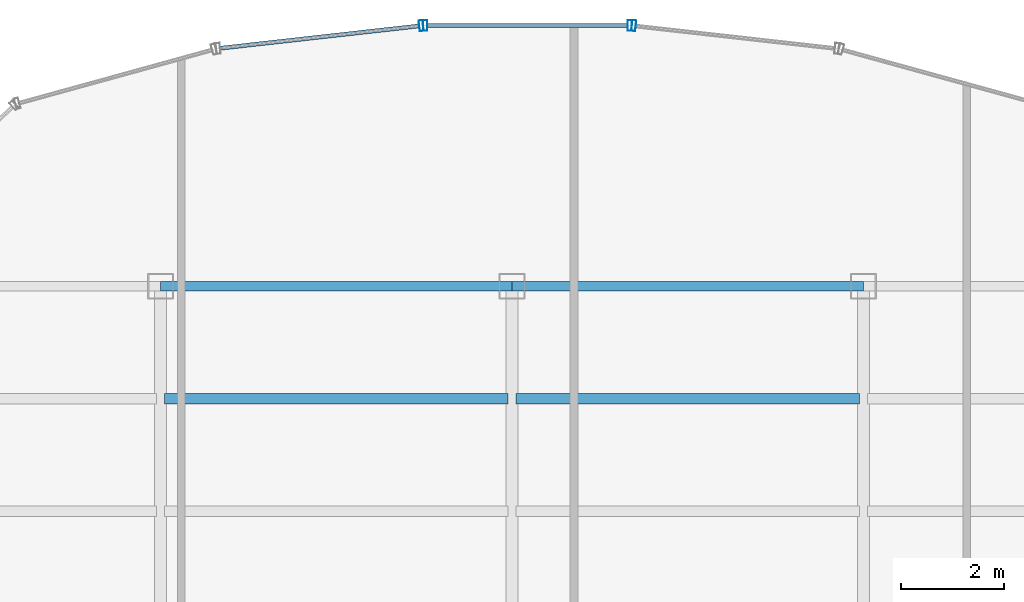
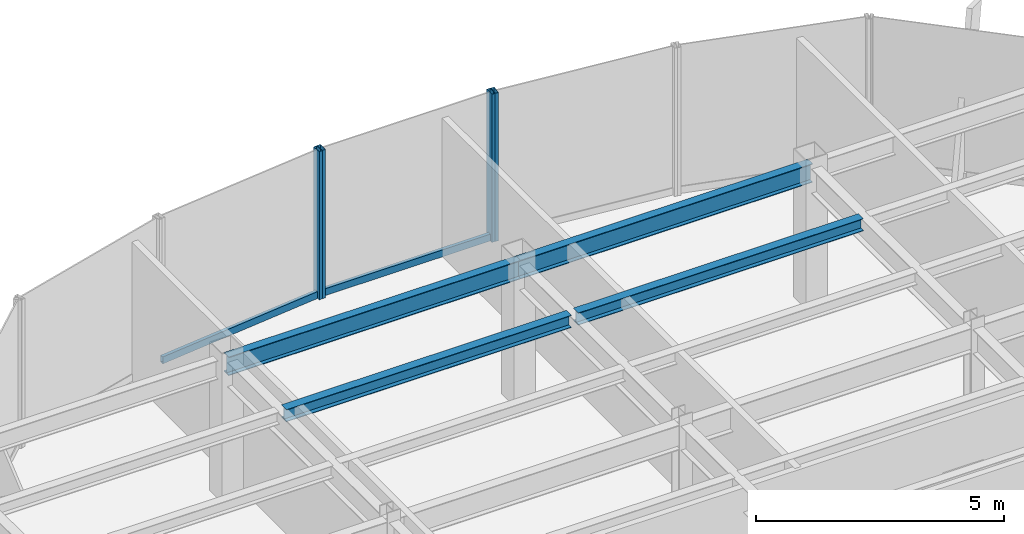
# One storey, part 13 of 22: 6 members, 4 beams, 3 elements without a shape of their own.
"""IFC4 building model written with IfcOpenShell, lengths in metres."""

from ifc_helpers import new_model, si_unit, derived_unit, direction, frame, origin, origin_2d, place, context, subcontext, project, spatial, hollow_rectangle, i_section, extrude, source, transform, mapped, material, material_profile, profile_set, type_object, element, aggregate, save


model = new_model("IFC4")

# Units and contexts
model_context = context("Model", 3, precision=1e-05, world=origin(), true_north=direction((0.0, 1.0)))
body_context = subcontext(model_context, "Body", "Model", "MODEL_VIEW")
ifc_project = project(units=[si_unit("LENGTHUNIT", "METRE"), si_unit("AREAUNIT", "SQUARE_METRE"), si_unit("VOLUMEUNIT", "CUBIC_METRE"), si_unit("PLANEANGLEUNIT", "RADIAN"), si_unit("MASSUNIT", "GRAM", prefix="KILO"), derived_unit("THERMALTRANSMITTANCEUNIT", [(si_unit("POWERUNIT", "WATT"), 1), (si_unit("LENGTHUNIT", "METRE"), -2), (si_unit("THERMODYNAMICTEMPERATUREUNIT", "KELVIN"), -1)])], contexts=[model_context])

# Site, building, storey
site_placement = place(None, origin())
site = spatial("IfcSite", under=ifc_project, at=site_placement, CompositionType="ELEMENT")
building_placement = place(site_placement, origin())
building = spatial("IfcBuilding", under=site, at=building_placement, Name="Skarnbrae Concourse Arena and Tower", CompositionType="ELEMENT")
storey_placement = place(building_placement, frame((0.0, 0.0, 251.5)))
storey = spatial("IfcBuildingStorey", under=building, at=storey_placement, Name="L65", CompositionType="ELEMENT", Elevation=251.5)

# Beams
ifc_material_1 = material(Name="Steel CSA G40.21 350W", Category="steel")
ifc_material_profile_1 = material_profile(ifc_material_1, i_section(OverallWidth=0.19091796875, OverallDepth=0.4599609375, WebThickness=0.010009765625, FlangeThickness=0.01611328125, at=origin_2d()), Name="W460X82")
ifc_profile_set_1 = profile_set([ifc_material_profile_1], Name="Steel CSA G40.21 350W")
beam_type_1 = type_object("IfcBeamType", Name="BM-SPAN-W460X82", PredefinedType="SPANDREL", material=ifc_profile_set_1)
shared_shape_1 = source(origin(), body_context, "Body", "SweptSolid", [
    extrude(i_section(OverallWidth=0.19091796875, OverallDepth=0.4599609375, WebThickness=0.010009765625, FlangeThickness=0.01611328125, at=origin_2d()), origin(), (0.0, 0.0, 1.0), 6.800048828125),
])
for number, where, z_axis, x_axis, name in (
    (1, (14.39990234375, 34.39990234375, 3.169921875), (1.0, 0.0, 0.0), (0.0, 1.0, 0.0), "L65 Perimeter spandrel Y34.4-2"),
    (2, (21.199951171875, 34.39990234375, 3.169921875), (1.0, 0.0, 0.0), (0.0, 1.0, 0.0), "L65 Perimeter spandrel Y34.4-3"),
):
    element("IfcBeam", number, at=place(storey_placement, frame(where, z_axis=z_axis, x_axis=x_axis)), inside=storey, type_object=beam_type_1, Name=name, PredefinedType="SPANDREL", context=body_context, shape_type="MappedRepresentation", body=[
        mapped(shared_shape_1, transform((0.0, 0.0, 0.0))),
    ])
ifc_material_profile_2 = material_profile(ifc_material_1, i_section(OverallWidth=0.202880859375, OverallDepth=0.302978515625, WebThickness=0.007568359375, FlangeThickness=0.01318359375, at=origin_2d()), Name="W310X60")
ifc_profile_set_2 = profile_set([ifc_material_profile_2], Name="Steel CSA G40.21 350W")
beam_type_2 = type_object("IfcBeamType", Name="BM-JOIST-W310X60", PredefinedType="JOIST", material=ifc_profile_set_2)
shared_shape_2 = source(origin(), body_context, "Body", "SweptSolid", [
    extrude(i_section(OverallWidth=0.202880859375, OverallDepth=0.302978515625, WebThickness=0.007568359375, FlangeThickness=0.01318359375, at=origin_2d()), origin(), (0.0, 0.0, 1.0), 6.64013671875),
])
beam_1_placement = place(storey_placement, frame((14.47998046875, 32.221923828125, 3.24853515625), z_axis=(1.0, 0.0, 0.0), x_axis=(0.0, 1.0, 0.0)))
element("IfcBeam", 3, at=beam_1_placement, inside=storey, type_object=beam_type_2, Name="L65 Secondary floor joist 3.2.2", PredefinedType="JOIST", context=body_context, shape_type="MappedRepresentation", body=[
    mapped(shared_shape_2, transform((0.0, 0.0, 0.0))),
])
shared_shape_3 = source(origin(), body_context, "Body", "SweptSolid", [
    extrude(i_section(OverallWidth=0.202880859375, OverallDepth=0.302978515625, WebThickness=0.007568359375, FlangeThickness=0.01318359375, at=origin_2d()), origin(), (0.0, 0.0, 1.0), 6.639892578125),
])
beam_2_placement = place(storey_placement, frame((21.280029296875, 32.221923828125, 3.24853515625), z_axis=(1.0, 0.0, 0.0), x_axis=(0.0, 1.0, 0.0)))
element("IfcBeam", 4, at=beam_2_placement, inside=storey, type_object=beam_type_2, Name="L65 Secondary floor joist 3.2.3", PredefinedType="JOIST", context=body_context, shape_type="MappedRepresentation", body=[
    mapped(shared_shape_3, transform((0.0, 0.0, 0.0))),
])

# Curtain wall, member
ifc_material_2 = material(Name="Bronze anodised aluminium 6063-T6", Category="aluminium")
curtain_wall_type = type_object("IfcCurtainWallType", Name="CW-SYS-03-PORTAL", PredefinedType="USERDEFINED", material=ifc_material_2)
curtain_wall_1_placement = place(storey_placement, origin())
curtain_wall_1 = element("IfcCurtainWall", 5, at=curtain_wall_1_placement, inside=storey, type_object=curtain_wall_type, Name="L65 Unitised curtain wall CW-L65-E10", ObjectType="UNITISED CURTAIN WALL", PredefinedType="USERDEFINED")
ifc_material_profile_3 = material_profile(ifc_material_2, hollow_rectangle(XDim=0.080078125, YDim=0.2099609375, WallThickness=0.00439453125, at=origin_2d()), Name="ALU-MULL-80X210")
ifc_profile_set_3 = profile_set([ifc_material_profile_3], Name="Bronze anodised aluminium 6063-T6")
member_type_1 = type_object("IfcMemberType", Name="CWM-CW-03", PredefinedType="MULLION", material=ifc_profile_set_3)
shared_shape_4 = source(origin(), body_context, "Body", "SweptSolid", [
    extrude(hollow_rectangle(XDim=0.080078125, YDim=0.2099609375, WallThickness=0.00439453125, at=origin_2d()), origin(), (0.0, 0.0, 1.0), 3.64990234375),
])
member_1_placement = place(storey_placement, frame((23.556884765625, 39.442138671875, 0.0), z_axis=(0.0, 0.0, 1.0), x_axis=(-0.993768891873, 0.111460259941, 0.0)))
member_1 = element("IfcMember", 6, at=member_1_placement, type_object=member_type_1, Name="CW-L65-E10 Mullion 2", PredefinedType="MULLION", context=body_context, shape_type="MappedRepresentation", body=[
    mapped(shared_shape_4, transform((0.0, 0.0, 0.0))),
])
aggregate(curtain_wall_1, [member_1])

# Curtain wall, members
curtain_wall_2_placement = place(storey_placement, origin())
curtain_wall_2 = element("IfcCurtainWall", 7, at=curtain_wall_2_placement, inside=storey, type_object=curtain_wall_type, Name="L65 Unitised curtain wall CW-L65-E11", ObjectType="UNITISED CURTAIN WALL", PredefinedType="USERDEFINED")
member_2_placement = place(storey_placement, frame((23.477294921875, 39.44677734375, 0.0), z_axis=(0.0, 0.0, 1.0), x_axis=(-1.0, 0.0, 0.0)))
member_2 = element("IfcMember", 8, at=member_2_placement, type_object=member_type_1, Name="CW-L65-E11 Mullion 1", PredefinedType="MULLION", context=body_context, shape_type="MappedRepresentation", body=[
    mapped(shared_shape_4, transform((0.0, 0.0, 0.0))),
])
member_3_placement = place(storey_placement, frame((19.522705078125, 39.44677734375, 0.0), z_axis=(0.0, 0.0, 1.0), x_axis=(-1.0, 0.0, 0.0)))
member_3 = element("IfcMember", 9, at=member_3_placement, type_object=member_type_1, Name="CW-L65-E11 Mullion 2", PredefinedType="MULLION", context=body_context, shape_type="MappedRepresentation", body=[
    mapped(shared_shape_4, transform((0.0, 0.0, 0.0))),
])

curtain_wall_3_placement = place(storey_placement, origin())
curtain_wall_3 = element("IfcCurtainWall", 10, at=curtain_wall_3_placement, inside=storey, type_object=curtain_wall_type, Name="L65 Unitised curtain wall CW-L65-E12", ObjectType="UNITISED CURTAIN WALL", PredefinedType="USERDEFINED")
member_4_placement = place(storey_placement, frame((19.443115234375, 39.442138671875, 0.0), z_axis=(0.0, 0.0, 1.0), x_axis=(-0.993768891873, -0.111460259941, 0.0)))
member_4 = element("IfcMember", 11, at=member_4_placement, type_object=member_type_1, Name="CW-L65-E12 Mullion 1", PredefinedType="MULLION", context=body_context, shape_type="MappedRepresentation", body=[
    mapped(shared_shape_4, transform((0.0, 0.0, 0.0))),
])
ifc_material_profile_4 = material_profile(ifc_material_2, hollow_rectangle(XDim=0.080078125, YDim=0.169921875, WallThickness=0.00439453125, at=origin_2d()), Name="ALU-TRAN-80X170")
ifc_profile_set_4 = profile_set([ifc_material_profile_4], Name="Bronze anodised aluminium 6063-T6")
member_type_2 = type_object("IfcMemberType", Name="CWT-CW-03", PredefinedType="USERDEFINED", material=ifc_profile_set_4)
shared_shape_5 = source(origin(), body_context, "Body", "SweptSolid", [
    extrude(hollow_rectangle(XDim=0.080078125, YDim=0.169921875, WallThickness=0.00439453125, at=origin_2d()), origin(), (0.0, 0.0, 1.0), 3.873779296875),
])
member_5_placement = place(storey_placement, frame((19.4033203125, 39.437744140625, 0.0849609375), z_axis=(-0.993772558096, -0.111427567397, 0.0), x_axis=(0.111427567397, -0.993772558096, 0.0)))
member_5 = element("IfcMember", 12, at=member_5_placement, type_object=member_type_2, Name="CW-L65-E12 Transom 1", ObjectType="TRANSOM", PredefinedType="USERDEFINED", context=body_context, shape_type="MappedRepresentation", body=[
    mapped(shared_shape_5, transform((0.0, 0.0, 0.0))),
])
aggregate(curtain_wall_3, [member_4, member_5])

# Member
shared_shape_6 = source(origin(), body_context, "Body", "SweptSolid", [
    extrude(hollow_rectangle(XDim=0.080078125, YDim=0.169921875, WallThickness=0.00439453125, at=origin_2d()), origin(), (0.0, 0.0, 1.0), 3.87451171875),
])
member_6_placement = place(storey_placement, frame((23.437255859375, 39.44677734375, 0.0849609375), z_axis=(-1.0, 0.0, 0.0), x_axis=(0.0, -1.0, 0.0)))
member_6 = element("IfcMember", 13, at=member_6_placement, type_object=member_type_2, Name="CW-L65-E11 Transom 1", ObjectType="TRANSOM", PredefinedType="USERDEFINED", context=body_context, shape_type="MappedRepresentation", body=[
    mapped(shared_shape_6, transform((0.0, 0.0, 0.0))),
])

aggregate(curtain_wall_2, [member_2, member_3, member_6])

save(model, "model.ifc")
